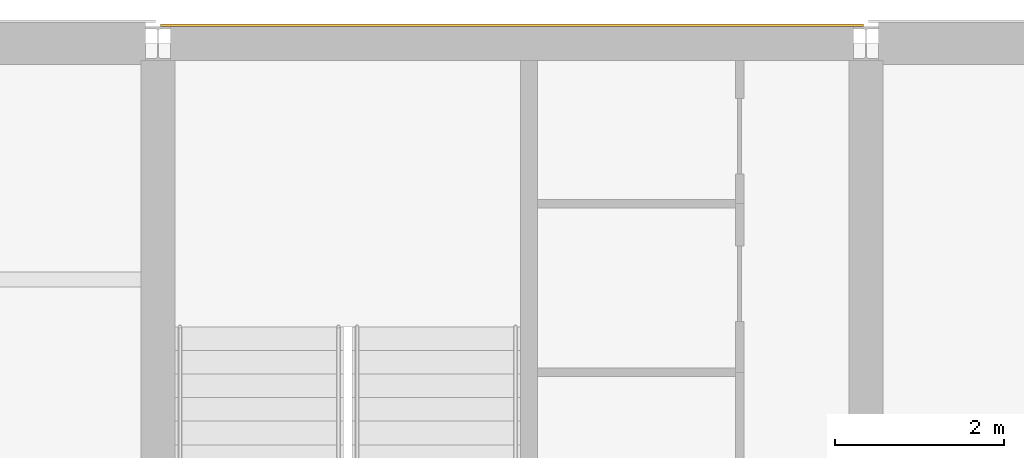
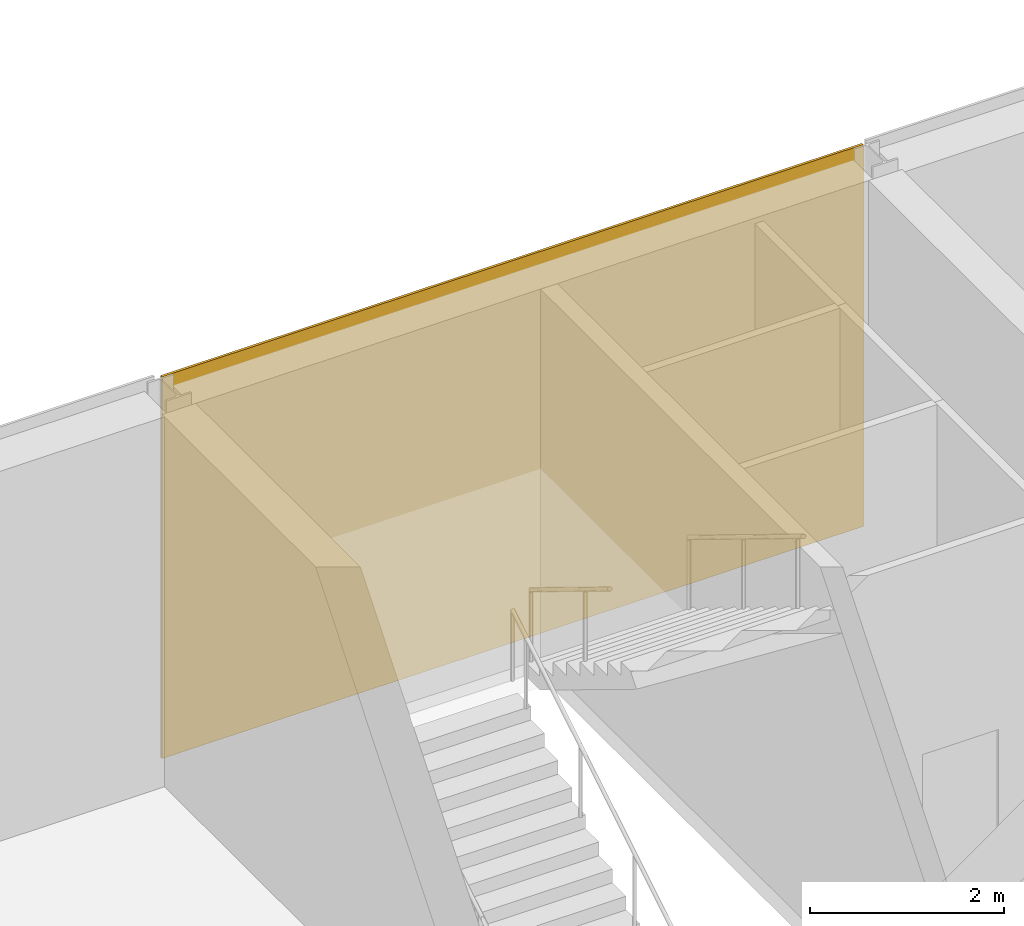
# One storey, part 44 of 57: 1 covering.
"""IFC4 building model written with IfcOpenShell, lengths in metres."""

from ifc_helpers import new_model, si_unit, direction, frame, origin, origin_2d, place, context, subcontext, project, spatial, rectangle, extrude, material, layer, layer_set, type_object, element, save


model = new_model("IFC4")

# Units and contexts
model_context = context("Model", 3, precision=1e-05, world=origin(), true_north=direction((0.0, 1.0)))
body_context = subcontext(model_context, "Body", "Model", "MODEL_VIEW")
ifc_project = project(units=[si_unit("LENGTHUNIT", "METRE"), si_unit("AREAUNIT", "SQUARE_METRE"), si_unit("VOLUMEUNIT", "CUBIC_METRE"), si_unit("PLANEANGLEUNIT", "RADIAN"), si_unit("MASSUNIT", "GRAM", prefix="KILO")], contexts=[model_context])

# Site, building, storey
site_placement = place(None, origin())
site = spatial("IfcSite", under=ifc_project, at=site_placement, CompositionType="ELEMENT")
building_placement = place(site_placement, origin())
building = spatial("IfcBuilding", under=site, at=building_placement, Name="Galleria Vessillo Department Store", CompositionType="ELEMENT")
storey_placement = place(building_placement, frame((0.0, 0.0, 21.0)))
storey = spatial("IfcBuildingStorey", under=building, at=storey_placement, Name="L04", CompositionType="ELEMENT", Elevation=21.0)

# Covering
ifc_material = material(Name="Lime plaster (intonaco) ochre")
ifc_layer = layer(ifc_material, 0.030029296875)
ifc_layer_set = layer_set([ifc_layer], Name="Lime plaster (intonaco) ochre")
covering_type = type_object("IfcCoveringType", Name="Lime plaster render 30 mm", PredefinedType="CLADDING", material=ifc_layer_set)
covering_placement = place(storey_placement, frame((63.0, 63.215087890625, 0.0), z_axis=(0.0, 0.0, 1.0), x_axis=(1.0, 0.0, 0.0)))
element("IfcCovering", 1, at=covering_placement, inside=storey, type_object=covering_type, Name="Wall cladding S-CW-PC-NC-PARTY-L04", PredefinedType="CLADDING", context=body_context, shape_type="SweptSolid", body=[
    extrude(rectangle(XDim=8.33984375, YDim=0.030029296875, at=origin_2d()), origin(), (0.0, 0.0, 1.0), 4.800048828125),
])

save(model, "model.ifc")
